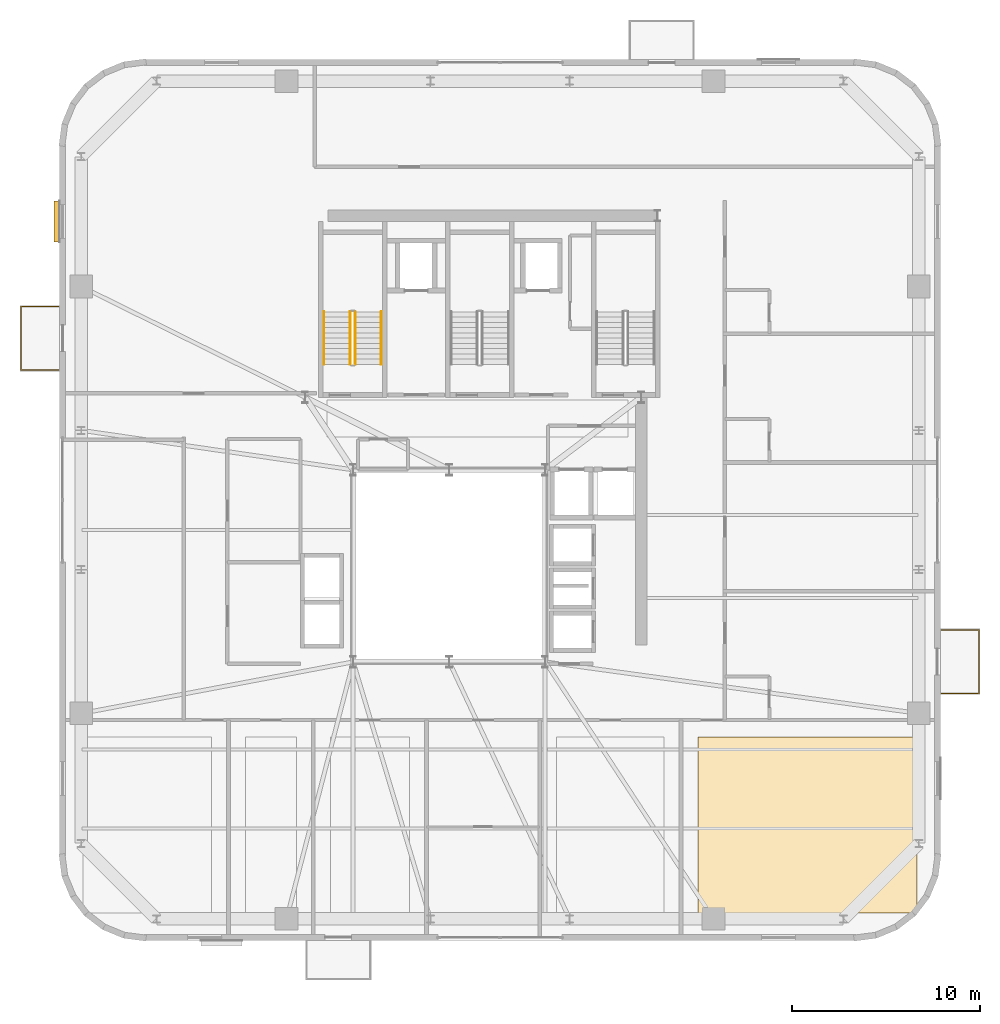
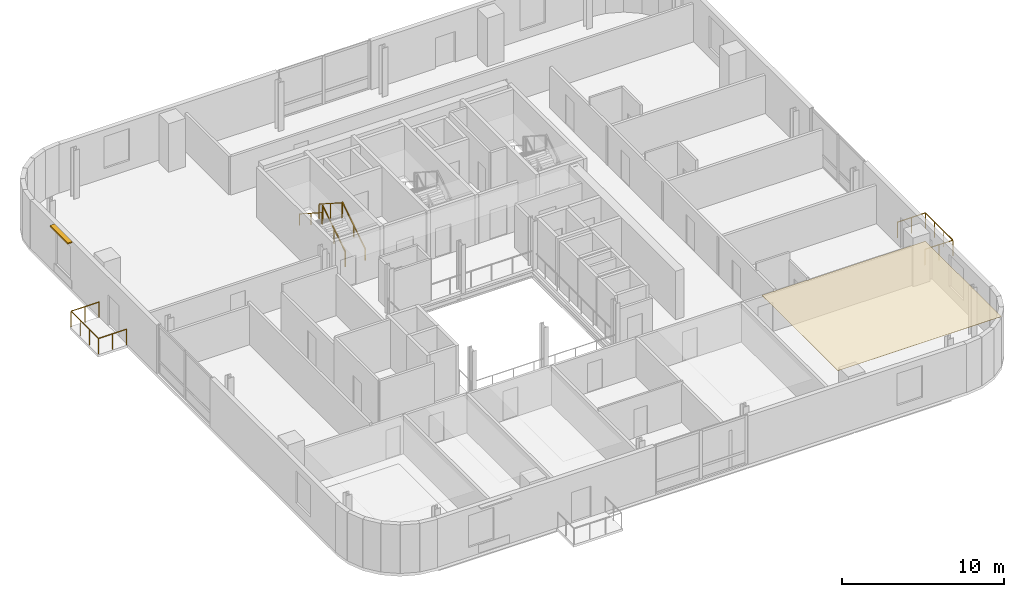
# One storey, part 14 of 15: 6 railings, 1 covering, 1 shading device.
"""IFC4 building model written with IfcOpenShell, lengths in metres."""

from ifc_helpers import new_model, si_unit, direction, frame, origin, origin_2d, place, context, subcontext, project, spatial, polyline, rectangle, outline, extrude, source, transform, mapped, material, layer, layer_set, type_object, element, save


model = new_model("IFC4")

# Units and contexts
model_context = context("Model", 3, precision=1e-05, world=origin(), true_north=direction((0.0, 1.0)))
body_context = subcontext(model_context, "Body", "Model", "MODEL_VIEW")
ifc_project = project(units=[si_unit("LENGTHUNIT", "METRE"), si_unit("AREAUNIT", "SQUARE_METRE"), si_unit("VOLUMEUNIT", "CUBIC_METRE"), si_unit("PLANEANGLEUNIT", "RADIAN"), si_unit("MASSUNIT", "GRAM", prefix="KILO")], contexts=[model_context])

# Site, building, storey
site_placement = place(None, origin())
site = spatial("IfcSite", under=ifc_project, at=site_placement, CompositionType="ELEMENT")
building_placement = place(site_placement, origin())
building = spatial("IfcBuilding", under=site, at=building_placement, Name="Vardaveli Station Tower", CompositionType="ELEMENT")
storey_placement = place(building_placement, frame((0.0, 0.0, 250.60009765625)))
storey = spatial("IfcBuildingStorey", under=building, at=storey_placement, Name="L64", CompositionType="ELEMENT", Elevation=250.60009765625)

# Covering
ifc_material_1 = material(Name="Perforated acoustic mineral ceiling")
ifc_layer_1 = layer(ifc_material_1, 0.02001953125, Name="Perforated acoustic mineral ceiling")
ifc_layer_set_1 = layer_set([ifc_layer_1], Name="Perforated acoustic mineral ceiling")
covering_type = type_object("IfcCoveringType", Name="COV-CEIL-AC20", PredefinedType="CEILING", material=ifc_layer_set_1)
covering_placement = place(storey_placement, frame((0.0, 0.0, 3.635009765625)))
element("IfcCovering", 1, at=covering_placement, inside=storey, type_object=covering_type, Name="CEIL-L64-5", PredefinedType="CEILING", context=body_context, shape_type="SweptSolid", body=[
    extrude(outline(polyline([(49.52001953125, 3.25), (61.14990234375, 3.25), (61.14990234375, 12.610107421875), (49.52001953125, 12.610107421875), (49.52001953125, 3.25)])), origin(), (0.0, 0.0, 1.0), 0.019775390625),
])

# Shading device
ifc_material_2 = material(Name="Anodised champagne aluminium sunshade", Category="aluminium")
ifc_layer_2 = layer(ifc_material_2, 0.090087890625, Name="Anodised champagne aluminium sunshade")
ifc_layer_set_2 = layer_set([ifc_layer_2], Name="Anodised champagne aluminium sunshade")
shading_device_type = type_object("IfcShadingDeviceType", Name="SHD-SUNSHADE", PredefinedType="USERDEFINED", material=ifc_layer_set_2)
shared_shape_1 = source(origin(), body_context, "Body", "SweptSolid", [
    extrude(rectangle(XDim=2.199951171875, YDim=0.320068359375, at=origin_2d()), origin(), (0.0, 0.0, 1.0), 0.090087890625),
])
shading_device_placement = place(storey_placement, frame((15.455078125, 39.9951171875, 3.52978515625), z_axis=(0.0, 0.0, 1.0), x_axis=(0.0, 1.0, 0.0)))
element("IfcShadingDevice", 2, at=shading_device_placement, inside=storey, type_object=shading_device_type, Name="SHD-SS-L64-W", ObjectType="SUNSHADE", PredefinedType="USERDEFINED", context=body_context, shape_type="MappedRepresentation", body=[
    mapped(shared_shape_1, transform((0.0, 0.0, 0.0), scale=1.0)),
])

# Railings
ifc_material_3 = material(Name="Laminated glass and stainless steel balustrade", Category="steel")
railing_type_1 = type_object("IfcRailingType", Name="RL-BAL-1200", PredefinedType="BALUSTRADE", material=ifc_material_3)
shared_shape_2 = source(origin(), body_context, "Body", "SweptSolid", [
    extrude(rectangle(XDim=0.048095703125, YDim=0.048095703125, at=origin_2d()), frame((0.0, 0.0, 1.17578125), z_axis=(1.0, 0.0, 0.0), x_axis=(0.0, 1.0, 0.0)), (0.0, 0.0, 1.0), 2.0),
    extrude(rectangle(XDim=0.048095703125, YDim=0.048095703125, at=origin_2d()), frame((2.0, 0.0, 1.17578125), z_axis=(0.0, 1.0, 0.0), x_axis=(-1.0, 0.0, 0.0)), (0.0, 0.0, 1.0), 3.3798828125),
    extrude(rectangle(XDim=0.048095703125, YDim=0.048095703125, at=origin_2d()), frame((2.0, 3.3798828125, 1.17578125), z_axis=(-1.0, 0.0, 0.0), x_axis=(0.0, -1.0, 0.0)), (0.0, 0.0, 1.0), 2.0),
    extrude(rectangle(XDim=0.0419921875, YDim=0.0419921875, at=origin_2d()), origin(), (0.0, 0.0, 1.0), 1.15185546875),
    extrude(rectangle(XDim=0.0419921875, YDim=0.0419921875, at=origin_2d()), frame((1.0, 0.0, 0.0)), (0.0, 0.0, 1.0), 1.15185546875),
    extrude(rectangle(XDim=0.0419921875, YDim=0.0419921875, at=origin_2d()), frame((2.0, 0.0, 0.0)), (0.0, 0.0, 1.0), 1.15185546875),
    extrude(rectangle(XDim=0.0419921875, YDim=0.0419921875, at=origin_2d()), frame((2.0, 1.126708984375, 0.0)), (0.0, 0.0, 1.0), 1.15185546875),
    extrude(rectangle(XDim=0.0419921875, YDim=0.0419921875, at=origin_2d()), frame((2.0, 2.253173828125, 0.0)), (0.0, 0.0, 1.0), 1.15185546875),
    extrude(rectangle(XDim=0.0419921875, YDim=0.0419921875, at=origin_2d()), frame((2.0, 3.3798828125, 0.0)), (0.0, 0.0, 1.0), 1.15185546875),
    extrude(rectangle(XDim=0.0419921875, YDim=0.0419921875, at=origin_2d()), frame((1.0, 3.3798828125, 0.0)), (0.0, 0.0, 1.0), 1.15185546875),
    extrude(rectangle(XDim=0.0419921875, YDim=0.0419921875, at=origin_2d()), frame((0.0, 3.3798828125, 0.0)), (0.0, 0.0, 1.0), 1.15185546875),
])
railing_1_placement = place(storey_placement, frame((62.43994140625, 14.92041015625, 0.0)))
element("IfcRailing", 3, at=railing_1_placement, inside=storey, type_object=railing_type_1, Name="RL-LOG-L64-04", PredefinedType="BALUSTRADE", context=body_context, shape_type="MappedRepresentation", body=[
    mapped(shared_shape_2, transform((0.0, 0.0, 0.0), scale=1.0)),
])
shared_shape_3 = source(origin(), body_context, "Body", "SweptSolid", [
    extrude(rectangle(XDim=0.048095703125, YDim=0.048095703125, at=origin_2d()), frame((0.0, 0.0, 1.17578125), z_axis=(-1.0, 0.0, 0.0), x_axis=(0.0, -1.0, 0.0)), (0.0, 0.0, 1.0), 2.0),
    extrude(rectangle(XDim=0.048095703125, YDim=0.048095703125, at=origin_2d()), frame((-2.0, 0.0, 1.17578125), z_axis=(0.0, 1.0, 0.0), x_axis=(-1.0, 0.0, 0.0)), (0.0, 0.0, 1.0), 3.3798828125),
    extrude(rectangle(XDim=0.048095703125, YDim=0.048095703125, at=origin_2d()), frame((-2.0, 3.3798828125, 1.17578125), z_axis=(1.0, 0.0, 0.0), x_axis=(0.0, 1.0, 0.0)), (0.0, 0.0, 1.0), 2.0),
    extrude(rectangle(XDim=0.0419921875, YDim=0.0419921875, at=origin_2d()), origin(), (0.0, 0.0, 1.0), 1.15185546875),
    extrude(rectangle(XDim=0.0419921875, YDim=0.0419921875, at=origin_2d()), frame((-1.0, 0.0, 0.0)), (0.0, 0.0, 1.0), 1.15185546875),
    extrude(rectangle(XDim=0.0419921875, YDim=0.0419921875, at=origin_2d()), frame((-2.0, 0.0, 0.0)), (0.0, 0.0, 1.0), 1.15185546875),
    extrude(rectangle(XDim=0.0419921875, YDim=0.0419921875, at=origin_2d()), frame((-2.0, 1.126708984375, 0.0)), (0.0, 0.0, 1.0), 1.15185546875),
    extrude(rectangle(XDim=0.0419921875, YDim=0.0419921875, at=origin_2d()), frame((-2.0, 2.253173828125, 0.0)), (0.0, 0.0, 1.0), 1.15185546875),
    extrude(rectangle(XDim=0.0419921875, YDim=0.0419921875, at=origin_2d()), frame((-2.0, 3.3798828125, 0.0)), (0.0, 0.0, 1.0), 1.15185546875),
    extrude(rectangle(XDim=0.0419921875, YDim=0.0419921875, at=origin_2d()), frame((-1.0, 3.3798828125, 0.0)), (0.0, 0.0, 1.0), 1.15185546875),
    extrude(rectangle(XDim=0.0419921875, YDim=0.0419921875, at=origin_2d()), frame((0.0, 3.3798828125, 0.0)), (0.0, 0.0, 1.0), 1.15185546875),
])
railing_2_placement = place(storey_placement, frame((15.56005859375, 32.099609375, 0.0)))
element("IfcRailing", 4, at=railing_2_placement, inside=storey, type_object=railing_type_1, Name="RL-LOG-L64-03", PredefinedType="BALUSTRADE", context=body_context, shape_type="MappedRepresentation", body=[
    mapped(shared_shape_3, transform((0.0, 0.0, 0.0), scale=1.0)),
])
ifc_material_4 = material(Name="Brushed AISI 316 stainless steel", Category="steel")
railing_type_2 = type_object("IfcRailingType", Name="RL-GUARD-1150", PredefinedType="GUARDRAIL", material=ifc_material_4)
shared_shape_4 = source(origin(), body_context, "Body", "SweptSolid", [
    extrude(rectangle(XDim=0.048095703125, YDim=0.048095703125, at=origin_2d()), frame((0.0, 0.0, 1.1259765625), z_axis=(0.0, 0.841809871826, 0.539774156196), x_axis=(-1.0, 0.0, 0.0)), (0.0, 0.0, 1.0), 3.326171875),
    extrude(rectangle(XDim=0.0419921875, YDim=0.0419921875, at=origin_2d()), origin(), (0.0, 0.0, 1.0), 1.101806640625),
    extrude(rectangle(XDim=0.0419921875, YDim=0.0419921875, at=origin_2d()), frame((0.0, 1.39990234375, 0.897705078125)), (0.0, 0.0, 1.0), 1.101806640625),
    extrude(rectangle(XDim=0.0419921875, YDim=0.0419921875, at=origin_2d()), frame((0.0, 2.800048828125, 1.79541015625)), (0.0, 0.0, 1.0), 1.101806640625),
])
railing_3_placement = place(storey_placement, frame((31.300048828125, 32.39990234375, 0.179443359375)))
element("IfcRailing", 5, at=railing_3_placement, inside=storey, type_object=railing_type_2, Name="L64 ST-1 stair guard 1", PredefinedType="GUARDRAIL", context=body_context, shape_type="MappedRepresentation", body=[
    mapped(shared_shape_4, transform((0.0, 0.0, 0.0), scale=1.0)),
])
shared_shape_5 = source(origin(), body_context, "Body", "SweptSolid", [
    extrude(rectangle(XDim=0.048095703125, YDim=0.048095703125, at=origin_2d()), frame((0.0, 0.0, 1.1259765625), z_axis=(0.0, -0.841809871826, 0.539774156196), x_axis=(1.0, 0.0, 0.0)), (0.0, 0.0, 1.0), 3.326171875),
    extrude(rectangle(XDim=0.0419921875, YDim=0.0419921875, at=origin_2d()), origin(), (0.0, 0.0, 1.0), 1.101806640625),
    extrude(rectangle(XDim=0.0419921875, YDim=0.0419921875, at=origin_2d()), frame((0.0, -1.39990234375, 0.897705078125)), (0.0, 0.0, 1.0), 1.101806640625),
    extrude(rectangle(XDim=0.0419921875, YDim=0.0419921875, at=origin_2d()), frame((0.0, -2.800048828125, 1.79541015625)), (0.0, 0.0, 1.0), 1.101806640625),
])
railing_4_placement = place(storey_placement, frame((31.050048828125, 35.199951171875, 2.154541015625)))
element("IfcRailing", 6, at=railing_4_placement, inside=storey, type_object=railing_type_2, Name="L64 ST-1 stair guard 3", PredefinedType="GUARDRAIL", context=body_context, shape_type="MappedRepresentation", body=[
    mapped(shared_shape_5, transform((0.0, 0.0, 0.0), scale=1.0)),
])
railing_type_3 = type_object("IfcRailingType", Name="RL-HAND-900", PredefinedType="HANDRAIL", material=ifc_material_4)
shared_shape_6 = source(origin(), body_context, "Body", "SweptSolid", [
    extrude(rectangle(XDim=0.048095703125, YDim=0.048095703125, at=origin_2d()), frame((0.0, 0.0, 0.8759765625), z_axis=(0.0, 0.841809871826, 0.539774156196), x_axis=(-1.0, 0.0, 0.0)), (0.0, 0.0, 1.0), 3.326171875),
    extrude(rectangle(XDim=0.0419921875, YDim=0.0419921875, at=origin_2d()), origin(), (0.0, 0.0, 1.0), 0.851806640625),
    extrude(rectangle(XDim=0.0419921875, YDim=0.0419921875, at=origin_2d()), frame((0.0, 1.39990234375, 0.897705078125)), (0.0, 0.0, 1.0), 0.851806640625),
    extrude(rectangle(XDim=0.0419921875, YDim=0.0419921875, at=origin_2d()), frame((0.0, 2.800048828125, 1.79541015625)), (0.0, 0.0, 1.0), 0.851806640625),
])
railing_5_placement = place(storey_placement, frame((32.699951171875, 32.39990234375, 0.179443359375)))
element("IfcRailing", 7, at=railing_5_placement, inside=storey, type_object=railing_type_3, Name="L64 ST-1 stair handrail 1", PredefinedType="HANDRAIL", context=body_context, shape_type="MappedRepresentation", body=[
    mapped(shared_shape_6, transform((0.0, 0.0, 0.0), scale=1.0)),
])
shared_shape_7 = source(origin(), body_context, "Body", "SweptSolid", [
    extrude(rectangle(XDim=0.048095703125, YDim=0.048095703125, at=origin_2d()), frame((0.0, 0.0, 0.8759765625), z_axis=(0.0, -0.841809871826, 0.539774156196), x_axis=(1.0, 0.0, 0.0)), (0.0, 0.0, 1.0), 3.326171875),
    extrude(rectangle(XDim=0.0419921875, YDim=0.0419921875, at=origin_2d()), origin(), (0.0, 0.0, 1.0), 0.851806640625),
    extrude(rectangle(XDim=0.0419921875, YDim=0.0419921875, at=origin_2d()), frame((0.0, -1.39990234375, 0.897705078125)), (0.0, 0.0, 1.0), 0.851806640625),
    extrude(rectangle(XDim=0.0419921875, YDim=0.0419921875, at=origin_2d()), frame((0.0, -2.800048828125, 1.79541015625)), (0.0, 0.0, 1.0), 0.851806640625),
])
railing_6_placement = place(storey_placement, frame((29.64990234375, 35.199951171875, 2.154541015625)))
element("IfcRailing", 8, at=railing_6_placement, inside=storey, type_object=railing_type_3, Name="L64 ST-1 stair handrail 2", PredefinedType="HANDRAIL", context=body_context, shape_type="MappedRepresentation", body=[
    mapped(shared_shape_7, transform((0.0, 0.0, 0.0), scale=1.0)),
])

save(model, "model.ifc")
